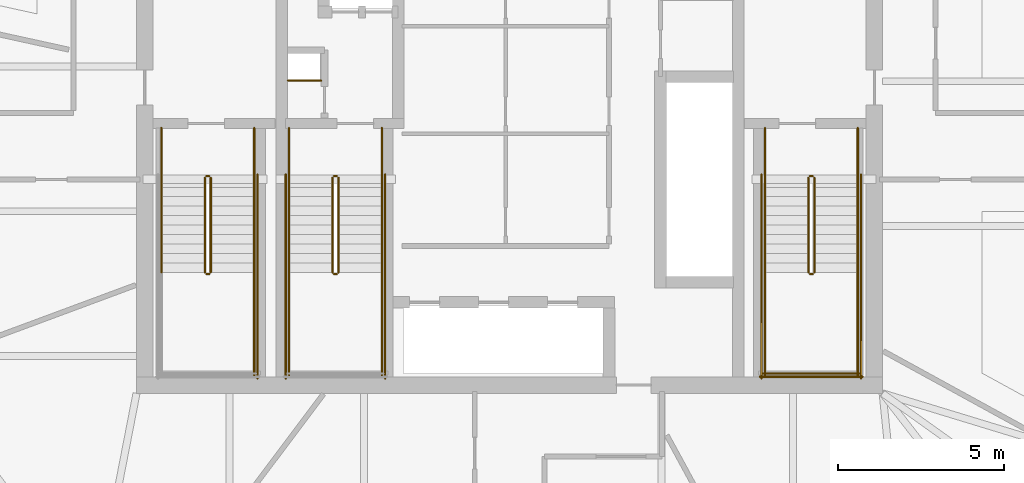
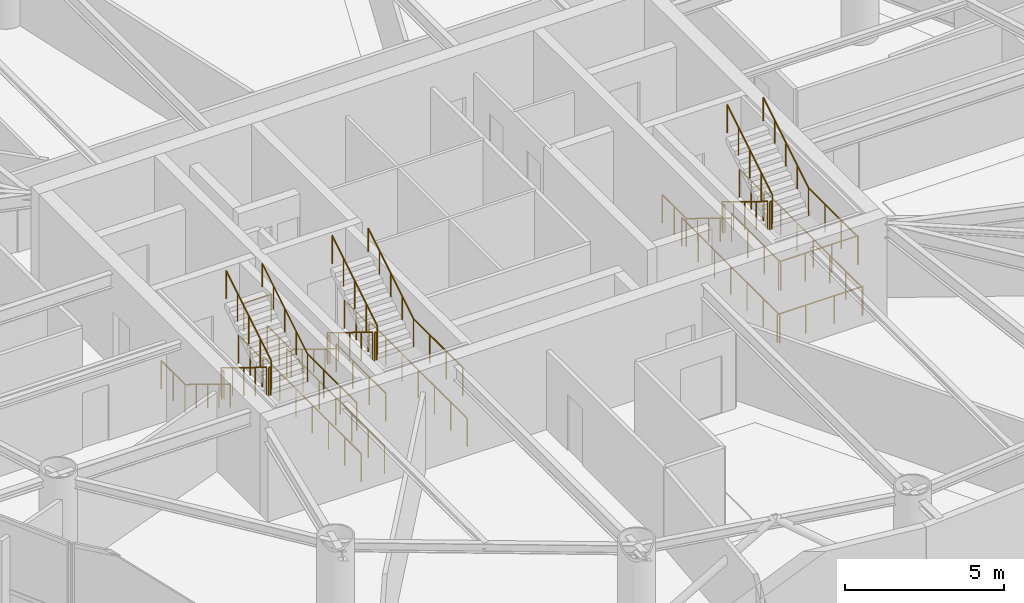
# One storey, part 18 of 19: 37 railings.
"""IFC4 building model written with IfcOpenShell, lengths in metres."""

from ifc_helpers import new_model, si_unit, direction, frame, origin, origin_2d, place, context, subcontext, project, spatial, circle, extrude, material, type_object, element, save


model = new_model("IFC4")

# Units and contexts
model_context = context("Model", 3, precision=1e-05, world=origin(), true_north=direction((0.0, 1.0)))
body_context = subcontext(model_context, "Body", "Model", "MODEL_VIEW")
ifc_project = project(units=[si_unit("LENGTHUNIT", "METRE"), si_unit("AREAUNIT", "SQUARE_METRE"), si_unit("VOLUMEUNIT", "CUBIC_METRE"), si_unit("PLANEANGLEUNIT", "RADIAN"), si_unit("MASSUNIT", "GRAM", prefix="KILO")], contexts=[model_context])

# Site, building, storey
site_placement = place(None, origin())
site = spatial("IfcSite", under=ifc_project, at=site_placement, CompositionType="ELEMENT")
building_placement = place(site_placement, origin())
building = spatial("IfcBuilding", under=site, at=building_placement, Name="Bramvorn Convention Spire", CompositionType="ELEMENT")
storey_placement = place(building_placement, frame((0.0, 0.0, 198.14990234375)))
storey = spatial("IfcBuildingStorey", under=building, at=storey_placement, Name="L50", CompositionType="ELEMENT", Elevation=198.14990234375)

# Railings
ifc_material_1 = material(Name="Painted Steel Balustrade & Guardrail", Category="steel")
railing_type_1 = type_object("IfcRailingType", Name="RL-STAIR-GUARD-1100", PredefinedType="GUARDRAIL", material=ifc_material_1)
railing_1_placement = place(storey_placement, frame((28.81005859375, 25.050048828125, 0.175048828125)))
element("IfcRailing", 1, at=railing_1_placement, inside=storey, type_object=railing_type_1, Name="L50 ST1 stair guard 1", PredefinedType="GUARDRAIL", context=body_context, shape_type="SweptSolid", body=[
    extrude(circle(Radius=0.02392578125, at=origin_2d()), frame((0.0, 0.0, 1.076171875), z_axis=(0.0, -0.852179220489, 0.52325001306), x_axis=(1.0, 0.0, 0.0)), (0.0, 0.0, 1.0), 3.344482421875),
    extrude(circle(Radius=0.02099609375, at=origin_2d()), origin(), (0.0, 0.0, 1.0), 1.052001953125),
    extrude(circle(Radius=0.02099609375, at=origin_2d()), frame((0.0, -0.71240234375, 0.4375)), (0.0, 0.0, 1.0), 1.052001953125),
    extrude(circle(Radius=0.02099609375, at=origin_2d()), frame((0.0, -1.425048828125, 0.875)), (0.0, 0.0, 1.0), 1.052001953125),
    extrude(circle(Radius=0.02099609375, at=origin_2d()), frame((0.0, -2.1376953125, 1.3125)), (0.0, 0.0, 1.0), 1.052001953125),
    extrude(circle(Radius=0.02099609375, at=origin_2d()), frame((0.0, -2.85009765625, 1.75)), (0.0, 0.0, 1.0), 1.052001953125),
])
railing_2_placement = place(storey_placement, frame((28.860107421875, 22.14990234375, 1.925048828125)))
element("IfcRailing", 2, at=railing_2_placement, inside=storey, type_object=railing_type_1, Name="L50 ST1 stair guard 2", PredefinedType="GUARDRAIL", context=body_context, shape_type="SweptSolid", body=[
    extrude(circle(Radius=0.02392578125, at=origin_2d()), frame((0.0, 0.0, 1.076171875), z_axis=(1.0, 0.0, 0.0), x_axis=(0.0, 1.0, 0.0)), (0.0, 0.0, 1.0), 0.079833984375),
    extrude(circle(Radius=0.02099609375, at=origin_2d()), origin(), (0.0, 0.0, 1.0), 1.052001953125),
    extrude(circle(Radius=0.02099609375, at=origin_2d()), frame((0.079833984375, 0.0, 0.0)), (0.0, 0.0, 1.0), 1.052001953125),
])
railing_3_placement = place(storey_placement, frame((30.300048828125, 22.199951171875, 1.925048828125)))
element("IfcRailing", 3, at=railing_3_placement, inside=storey, type_object=railing_type_1, Name="L50 ST1 stair guard 4", PredefinedType="GUARDRAIL", context=body_context, shape_type="SweptSolid", body=[
    extrude(circle(Radius=0.02392578125, at=origin_2d()), frame((0.0, 0.0, 1.076171875), z_axis=(0.0, -1.0, 0.0), x_axis=(1.0, 0.0, 0.0)), (0.0, 0.0, 1.0), 3.099853515625),
    extrude(circle(Radius=0.02099609375, at=origin_2d()), origin(), (0.0, 0.0, 1.0), 1.052001953125),
    extrude(circle(Radius=0.02099609375, at=origin_2d()), frame((0.0, -1.033203125, 0.0)), (0.0, 0.0, 1.0), 1.052001953125),
    extrude(circle(Radius=0.02099609375, at=origin_2d()), frame((0.0, -2.066650390625, 0.0)), (0.0, 0.0, 1.0), 1.052001953125),
    extrude(circle(Radius=0.02099609375, at=origin_2d()), frame((0.0, -3.099853515625, 0.0)), (0.0, 0.0, 1.0), 1.052001953125),
])
railing_4_placement = place(storey_placement, frame((28.989990234375, 22.199951171875, 2.10009765625)))
element("IfcRailing", 4, at=railing_4_placement, inside=storey, type_object=railing_type_1, Name="L50 ST1 stair guard 6", PredefinedType="GUARDRAIL", context=body_context, shape_type="SweptSolid", body=[
    extrude(circle(Radius=0.02392578125, at=origin_2d()), frame((0.0, 0.0, 1.076171875), z_axis=(0.0, 0.852179220489, 0.52325001306), x_axis=(-1.0, 0.0, 0.0)), (0.0, 0.0, 1.0), 3.344482421875),
    extrude(circle(Radius=0.02099609375, at=origin_2d()), origin(), (0.0, 0.0, 1.0), 1.052001953125),
    extrude(circle(Radius=0.02099609375, at=origin_2d()), frame((0.0, 0.71240234375, 0.4375)), (0.0, 0.0, 1.0), 1.052001953125),
    extrude(circle(Radius=0.02099609375, at=origin_2d()), frame((0.0, 1.425048828125, 0.875)), (0.0, 0.0, 1.0), 1.052001953125),
    extrude(circle(Radius=0.02099609375, at=origin_2d()), frame((0.0, 2.1376953125, 1.3125)), (0.0, 0.0, 1.0), 1.052001953125),
    extrude(circle(Radius=0.02099609375, at=origin_2d()), frame((0.0, 2.85009765625, 1.75)), (0.0, 0.0, 1.0), 1.052001953125),
])
railing_5_placement = place(storey_placement, frame((28.860107421875, 25.10009765625, 0.0)))
element("IfcRailing", 5, at=railing_5_placement, inside=storey, type_object=railing_type_1, Name="L50 ST1 stair guard 7", PredefinedType="GUARDRAIL", context=body_context, shape_type="SweptSolid", body=[
    extrude(circle(Radius=0.02392578125, at=origin_2d()), frame((0.0, 0.0, 1.076171875), z_axis=(1.0, 0.0, 0.0), x_axis=(0.0, 1.0, 0.0)), (0.0, 0.0, 1.0), 0.079833984375),
    extrude(circle(Radius=0.02099609375, at=origin_2d()), origin(), (0.0, 0.0, 1.0), 1.052001953125),
    extrude(circle(Radius=0.02099609375, at=origin_2d()), frame((0.079833984375, 0.0, 0.0)), (0.0, 0.0, 1.0), 1.052001953125),
])
for number, where, name in (
    (6, (27.5, 26.550048828125, 0.0), "L50 ST1 stair guard 8"),
    (7, (30.300048828125, 26.550048828125, 0.0), "L50 ST1 stair guard 9"),
):
    element("IfcRailing", number, at=place(storey_placement, frame(where)), inside=storey, type_object=railing_type_1, Name=name, PredefinedType="GUARDRAIL", context=body_context, shape_type="SweptSolid", body=[
        extrude(circle(Radius=0.02392578125, at=origin_2d()), frame((0.0, 0.0, 1.076171875), z_axis=(0.0, -1.0, 0.0), x_axis=(1.0, 0.0, 0.0)), (0.0, 0.0, 1.0), 1.5),
        extrude(circle(Radius=0.02099609375, at=origin_2d()), origin(), (0.0, 0.0, 1.0), 1.052001953125),
        extrude(circle(Radius=0.02099609375, at=origin_2d()), frame((0.0, -0.75, 0.0)), (0.0, 0.0, 1.0), 1.052001953125),
        extrude(circle(Radius=0.02099609375, at=origin_2d()), frame((0.0, -1.5, 0.0)), (0.0, 0.0, 1.0), 1.052001953125),
    ])
railing_6_placement = place(storey_placement, frame((30.39990234375, 25.14990234375, 0.0)))
element("IfcRailing", 8, at=railing_6_placement, inside=storey, type_object=railing_type_1, Name="L50 ST1 stair guard 11", PredefinedType="GUARDRAIL", context=body_context, shape_type="SweptSolid", body=[
    extrude(circle(Radius=0.02392578125, at=origin_2d()), frame((0.0, 0.0, 1.076171875), z_axis=(0.0, -1.0, 0.0), x_axis=(1.0, 0.0, 0.0)), (0.0, 0.0, 1.0), 6.14990234375),
    extrude(circle(Radius=0.02099609375, at=origin_2d()), origin(), (0.0, 0.0, 1.0), 1.052001953125),
    extrude(circle(Radius=0.02099609375, at=origin_2d()), frame((0.0, -1.02490234375, 0.0)), (0.0, 0.0, 1.0), 1.052001953125),
    extrude(circle(Radius=0.02099609375, at=origin_2d()), frame((0.0, -2.050048828125, 0.0)), (0.0, 0.0, 1.0), 1.052001953125),
    extrude(circle(Radius=0.02099609375, at=origin_2d()), frame((0.0, -3.074951171875, 0.0)), (0.0, 0.0, 1.0), 1.052001953125),
    extrude(circle(Radius=0.02099609375, at=origin_2d()), frame((0.0, -4.099853515625, 0.0)), (0.0, 0.0, 1.0), 1.052001953125),
    extrude(circle(Radius=0.02099609375, at=origin_2d()), frame((0.0, -5.125, 0.0)), (0.0, 0.0, 1.0), 1.052001953125),
    extrude(circle(Radius=0.02099609375, at=origin_2d()), frame((0.0, -6.14990234375, 0.0)), (0.0, 0.0, 1.0), 1.052001953125),
])
railing_7_placement = place(storey_placement, frame((47.010009765625, 25.050048828125, 0.175048828125)))
element("IfcRailing", 9, at=railing_7_placement, inside=storey, type_object=railing_type_1, Name="L50 ST2 stair guard 1", PredefinedType="GUARDRAIL", context=body_context, shape_type="SweptSolid", body=[
    extrude(circle(Radius=0.02392578125, at=origin_2d()), frame((0.0, 0.0, 1.076171875), z_axis=(0.0, -0.852179220489, 0.52325001306), x_axis=(1.0, 0.0, 0.0)), (0.0, 0.0, 1.0), 3.344482421875),
    extrude(circle(Radius=0.02099609375, at=origin_2d()), origin(), (0.0, 0.0, 1.0), 1.052001953125),
    extrude(circle(Radius=0.02099609375, at=origin_2d()), frame((0.0, -0.71240234375, 0.4375)), (0.0, 0.0, 1.0), 1.052001953125),
    extrude(circle(Radius=0.02099609375, at=origin_2d()), frame((0.0, -1.425048828125, 0.875)), (0.0, 0.0, 1.0), 1.052001953125),
    extrude(circle(Radius=0.02099609375, at=origin_2d()), frame((0.0, -2.1376953125, 1.3125)), (0.0, 0.0, 1.0), 1.052001953125),
    extrude(circle(Radius=0.02099609375, at=origin_2d()), frame((0.0, -2.85009765625, 1.75)), (0.0, 0.0, 1.0), 1.052001953125),
])
railing_8_placement = place(storey_placement, frame((47.06005859375, 22.14990234375, 1.925048828125)))
element("IfcRailing", 10, at=railing_8_placement, inside=storey, type_object=railing_type_1, Name="L50 ST2 stair guard 2", PredefinedType="GUARDRAIL", context=body_context, shape_type="SweptSolid", body=[
    extrude(circle(Radius=0.02392578125, at=origin_2d()), frame((0.0, 0.0, 1.076171875), z_axis=(1.0, 0.0, 0.0), x_axis=(0.0, 1.0, 0.0)), (0.0, 0.0, 1.0), 0.079833984375),
    extrude(circle(Radius=0.02099609375, at=origin_2d()), origin(), (0.0, 0.0, 1.0), 1.052001953125),
    extrude(circle(Radius=0.02099609375, at=origin_2d()), frame((0.079833984375, 0.0, 0.0)), (0.0, 0.0, 1.0), 1.052001953125),
])
for number, where, name in (
    (11, (45.699951171875, 22.199951171875, 1.925048828125), "L50 ST2 stair guard 3"),
    (12, (48.5, 22.199951171875, 1.925048828125), "L50 ST2 stair guard 4"),
):
    element("IfcRailing", number, at=place(storey_placement, frame(where)), inside=storey, type_object=railing_type_1, Name=name, PredefinedType="GUARDRAIL", context=body_context, shape_type="SweptSolid", body=[
        extrude(circle(Radius=0.02392578125, at=origin_2d()), frame((0.0, 0.0, 1.076171875), z_axis=(0.0, -1.0, 0.0), x_axis=(1.0, 0.0, 0.0)), (0.0, 0.0, 1.0), 3.099853515625),
        extrude(circle(Radius=0.02099609375, at=origin_2d()), origin(), (0.0, 0.0, 1.0), 1.052001953125),
        extrude(circle(Radius=0.02099609375, at=origin_2d()), frame((0.0, -1.033203125, 0.0)), (0.0, 0.0, 1.0), 1.052001953125),
        extrude(circle(Radius=0.02099609375, at=origin_2d()), frame((0.0, -2.066650390625, 0.0)), (0.0, 0.0, 1.0), 1.052001953125),
        extrude(circle(Radius=0.02099609375, at=origin_2d()), frame((0.0, -3.099853515625, 0.0)), (0.0, 0.0, 1.0), 1.052001953125),
    ])
railing_9_placement = place(storey_placement, frame((45.64990234375, 19.14990234375, 1.925048828125)))
element("IfcRailing", 13, at=railing_9_placement, inside=storey, type_object=railing_type_1, Name="L50 ST2 stair guard 5", PredefinedType="GUARDRAIL", context=body_context, shape_type="SweptSolid", body=[
    extrude(circle(Radius=0.02392578125, at=origin_2d()), frame((0.0, 0.0, 1.076171875), z_axis=(1.0, 0.0, 0.0), x_axis=(0.0, 1.0, 0.0)), (0.0, 0.0, 1.0), 2.900146484375),
    extrude(circle(Radius=0.02099609375, at=origin_2d()), origin(), (0.0, 0.0, 1.0), 1.052001953125),
    extrude(circle(Radius=0.02099609375, at=origin_2d()), frame((0.966796875, 0.0, 0.0)), (0.0, 0.0, 1.0), 1.052001953125),
    extrude(circle(Radius=0.02099609375, at=origin_2d()), frame((1.933349609375, 0.0, 0.0)), (0.0, 0.0, 1.0), 1.052001953125),
    extrude(circle(Radius=0.02099609375, at=origin_2d()), frame((2.900146484375, 0.0, 0.0)), (0.0, 0.0, 1.0), 1.052001953125),
])
railing_10_placement = place(storey_placement, frame((47.18994140625, 22.199951171875, 2.10009765625)))
element("IfcRailing", 14, at=railing_10_placement, inside=storey, type_object=railing_type_1, Name="L50 ST2 stair guard 6", PredefinedType="GUARDRAIL", context=body_context, shape_type="SweptSolid", body=[
    extrude(circle(Radius=0.02392578125, at=origin_2d()), frame((0.0, 0.0, 1.076171875), z_axis=(0.0, 0.852179220489, 0.52325001306), x_axis=(-1.0, 0.0, 0.0)), (0.0, 0.0, 1.0), 3.344482421875),
    extrude(circle(Radius=0.02099609375, at=origin_2d()), origin(), (0.0, 0.0, 1.0), 1.052001953125),
    extrude(circle(Radius=0.02099609375, at=origin_2d()), frame((0.0, 0.71240234375, 0.4375)), (0.0, 0.0, 1.0), 1.052001953125),
    extrude(circle(Radius=0.02099609375, at=origin_2d()), frame((0.0, 1.425048828125, 0.875)), (0.0, 0.0, 1.0), 1.052001953125),
    extrude(circle(Radius=0.02099609375, at=origin_2d()), frame((0.0, 2.1376953125, 1.3125)), (0.0, 0.0, 1.0), 1.052001953125),
    extrude(circle(Radius=0.02099609375, at=origin_2d()), frame((0.0, 2.85009765625, 1.75)), (0.0, 0.0, 1.0), 1.052001953125),
])
railing_11_placement = place(storey_placement, frame((47.06005859375, 25.10009765625, 0.0)))
element("IfcRailing", 15, at=railing_11_placement, inside=storey, type_object=railing_type_1, Name="L50 ST2 stair guard 7", PredefinedType="GUARDRAIL", context=body_context, shape_type="SweptSolid", body=[
    extrude(circle(Radius=0.02392578125, at=origin_2d()), frame((0.0, 0.0, 1.076171875), z_axis=(1.0, 0.0, 0.0), x_axis=(0.0, 1.0, 0.0)), (0.0, 0.0, 1.0), 0.079833984375),
    extrude(circle(Radius=0.02099609375, at=origin_2d()), origin(), (0.0, 0.0, 1.0), 1.052001953125),
    extrude(circle(Radius=0.02099609375, at=origin_2d()), frame((0.079833984375, 0.0, 0.0)), (0.0, 0.0, 1.0), 1.052001953125),
])
for number, where, name in (
    (16, (45.699951171875, 26.550048828125, 0.0), "L50 ST2 stair guard 8"),
    (17, (48.5, 26.550048828125, 0.0), "L50 ST2 stair guard 9"),
):
    element("IfcRailing", number, at=place(storey_placement, frame(where)), inside=storey, type_object=railing_type_1, Name=name, PredefinedType="GUARDRAIL", context=body_context, shape_type="SweptSolid", body=[
        extrude(circle(Radius=0.02392578125, at=origin_2d()), frame((0.0, 0.0, 1.076171875), z_axis=(0.0, -1.0, 0.0), x_axis=(1.0, 0.0, 0.0)), (0.0, 0.0, 1.0), 1.5),
        extrude(circle(Radius=0.02099609375, at=origin_2d()), origin(), (0.0, 0.0, 1.0), 1.052001953125),
        extrude(circle(Radius=0.02099609375, at=origin_2d()), frame((0.0, -0.75, 0.0)), (0.0, 0.0, 1.0), 1.052001953125),
        extrude(circle(Radius=0.02099609375, at=origin_2d()), frame((0.0, -1.5, 0.0)), (0.0, 0.0, 1.0), 1.052001953125),
    ])
for number, where, name in (
    (18, (45.60009765625, 25.14990234375, 0.0), "L50 ST2 stair guard 10"),
    (19, (48.60009765625, 25.14990234375, 0.0), "L50 ST2 stair guard 11"),
):
    element("IfcRailing", number, at=place(storey_placement, frame(where)), inside=storey, type_object=railing_type_1, Name=name, PredefinedType="GUARDRAIL", context=body_context, shape_type="SweptSolid", body=[
        extrude(circle(Radius=0.02392578125, at=origin_2d()), frame((0.0, 0.0, 1.076171875), z_axis=(0.0, -1.0, 0.0), x_axis=(1.0, 0.0, 0.0)), (0.0, 0.0, 1.0), 6.14990234375),
        extrude(circle(Radius=0.02099609375, at=origin_2d()), origin(), (0.0, 0.0, 1.0), 1.052001953125),
        extrude(circle(Radius=0.02099609375, at=origin_2d()), frame((0.0, -1.02490234375, 0.0)), (0.0, 0.0, 1.0), 1.052001953125),
        extrude(circle(Radius=0.02099609375, at=origin_2d()), frame((0.0, -2.050048828125, 0.0)), (0.0, 0.0, 1.0), 1.052001953125),
        extrude(circle(Radius=0.02099609375, at=origin_2d()), frame((0.0, -3.074951171875, 0.0)), (0.0, 0.0, 1.0), 1.052001953125),
        extrude(circle(Radius=0.02099609375, at=origin_2d()), frame((0.0, -4.099853515625, 0.0)), (0.0, 0.0, 1.0), 1.052001953125),
        extrude(circle(Radius=0.02099609375, at=origin_2d()), frame((0.0, -5.125, 0.0)), (0.0, 0.0, 1.0), 1.052001953125),
        extrude(circle(Radius=0.02099609375, at=origin_2d()), frame((0.0, -6.14990234375, 0.0)), (0.0, 0.0, 1.0), 1.052001953125),
    ])
railing_12_placement = place(storey_placement, frame((45.550048828125, 19.050048828125, 0.0)))
element("IfcRailing", 20, at=railing_12_placement, inside=storey, type_object=railing_type_1, Name="L50 ST2 stair guard 12", PredefinedType="GUARDRAIL", context=body_context, shape_type="SweptSolid", body=[
    extrude(circle(Radius=0.02392578125, at=origin_2d()), frame((0.0, 0.0, 1.076171875), z_axis=(1.0, 0.0, 0.0), x_axis=(0.0, 1.0, 0.0)), (0.0, 0.0, 1.0), 3.099853515625),
    extrude(circle(Radius=0.02099609375, at=origin_2d()), origin(), (0.0, 0.0, 1.0), 1.052001953125),
    extrude(circle(Radius=0.02099609375, at=origin_2d()), frame((1.033203125, 0.0, 0.0)), (0.0, 0.0, 1.0), 1.052001953125),
    extrude(circle(Radius=0.02099609375, at=origin_2d()), frame((2.066650390625, 0.0, 0.0)), (0.0, 0.0, 1.0), 1.052001953125),
    extrude(circle(Radius=0.02099609375, at=origin_2d()), frame((3.099853515625, 0.0, 0.0)), (0.0, 0.0, 1.0), 1.052001953125),
])
railing_13_placement = place(storey_placement, frame((32.659912109375, 25.050048828125, 0.175048828125)))
element("IfcRailing", 21, at=railing_13_placement, inside=storey, type_object=railing_type_1, Name="L50 ST3 stair guard 1", PredefinedType="GUARDRAIL", context=body_context, shape_type="SweptSolid", body=[
    extrude(circle(Radius=0.02392578125, at=origin_2d()), frame((0.0, 0.0, 1.076171875), z_axis=(0.0, -0.852179220489, 0.52325001306), x_axis=(1.0, 0.0, 0.0)), (0.0, 0.0, 1.0), 3.344482421875),
    extrude(circle(Radius=0.02099609375, at=origin_2d()), origin(), (0.0, 0.0, 1.0), 1.052001953125),
    extrude(circle(Radius=0.02099609375, at=origin_2d()), frame((0.0, -0.71240234375, 0.4375)), (0.0, 0.0, 1.0), 1.052001953125),
    extrude(circle(Radius=0.02099609375, at=origin_2d()), frame((0.0, -1.425048828125, 0.875)), (0.0, 0.0, 1.0), 1.052001953125),
    extrude(circle(Radius=0.02099609375, at=origin_2d()), frame((0.0, -2.1376953125, 1.3125)), (0.0, 0.0, 1.0), 1.052001953125),
    extrude(circle(Radius=0.02099609375, at=origin_2d()), frame((0.0, -2.85009765625, 1.75)), (0.0, 0.0, 1.0), 1.052001953125),
])
railing_14_placement = place(storey_placement, frame((32.7099609375, 22.14990234375, 1.925048828125)))
element("IfcRailing", 22, at=railing_14_placement, inside=storey, type_object=railing_type_1, Name="L50 ST3 stair guard 2", PredefinedType="GUARDRAIL", context=body_context, shape_type="SweptSolid", body=[
    extrude(circle(Radius=0.02392578125, at=origin_2d()), frame((0.0, 0.0, 1.076171875), z_axis=(1.0, 0.0, 0.0), x_axis=(0.0, 1.0, 0.0)), (0.0, 0.0, 1.0), 0.080078125),
    extrude(circle(Radius=0.02099609375, at=origin_2d()), origin(), (0.0, 0.0, 1.0), 1.052001953125),
    extrude(circle(Radius=0.02099609375, at=origin_2d()), frame((0.080078125, 0.0, 0.0)), (0.0, 0.0, 1.0), 1.052001953125),
])
for number, where, name in (
    (23, (31.35009765625, 22.199951171875, 1.925048828125), "L50 ST3 stair guard 3"),
    (24, (34.14990234375, 22.199951171875, 1.925048828125), "L50 ST3 stair guard 4"),
):
    element("IfcRailing", number, at=place(storey_placement, frame(where)), inside=storey, type_object=railing_type_1, Name=name, PredefinedType="GUARDRAIL", context=body_context, shape_type="SweptSolid", body=[
        extrude(circle(Radius=0.02392578125, at=origin_2d()), frame((0.0, 0.0, 1.076171875), z_axis=(0.0, -1.0, 0.0), x_axis=(1.0, 0.0, 0.0)), (0.0, 0.0, 1.0), 3.099853515625),
        extrude(circle(Radius=0.02099609375, at=origin_2d()), origin(), (0.0, 0.0, 1.0), 1.052001953125),
        extrude(circle(Radius=0.02099609375, at=origin_2d()), frame((0.0, -1.033203125, 0.0)), (0.0, 0.0, 1.0), 1.052001953125),
        extrude(circle(Radius=0.02099609375, at=origin_2d()), frame((0.0, -2.066650390625, 0.0)), (0.0, 0.0, 1.0), 1.052001953125),
        extrude(circle(Radius=0.02099609375, at=origin_2d()), frame((0.0, -3.099853515625, 0.0)), (0.0, 0.0, 1.0), 1.052001953125),
    ])
railing_15_placement = place(storey_placement, frame((32.840087890625, 22.199951171875, 2.10009765625)))
element("IfcRailing", 25, at=railing_15_placement, inside=storey, type_object=railing_type_1, Name="L50 ST3 stair guard 6", PredefinedType="GUARDRAIL", context=body_context, shape_type="SweptSolid", body=[
    extrude(circle(Radius=0.02392578125, at=origin_2d()), frame((0.0, 0.0, 1.076171875), z_axis=(0.0, 0.852179220489, 0.52325001306), x_axis=(-1.0, 0.0, 0.0)), (0.0, 0.0, 1.0), 3.344482421875),
    extrude(circle(Radius=0.02099609375, at=origin_2d()), origin(), (0.0, 0.0, 1.0), 1.052001953125),
    extrude(circle(Radius=0.02099609375, at=origin_2d()), frame((0.0, 0.71240234375, 0.4375)), (0.0, 0.0, 1.0), 1.052001953125),
    extrude(circle(Radius=0.02099609375, at=origin_2d()), frame((0.0, 1.425048828125, 0.875)), (0.0, 0.0, 1.0), 1.052001953125),
    extrude(circle(Radius=0.02099609375, at=origin_2d()), frame((0.0, 2.1376953125, 1.3125)), (0.0, 0.0, 1.0), 1.052001953125),
    extrude(circle(Radius=0.02099609375, at=origin_2d()), frame((0.0, 2.85009765625, 1.75)), (0.0, 0.0, 1.0), 1.052001953125),
])
railing_16_placement = place(storey_placement, frame((32.7099609375, 25.10009765625, 0.0)))
element("IfcRailing", 26, at=railing_16_placement, inside=storey, type_object=railing_type_1, Name="L50 ST3 stair guard 7", PredefinedType="GUARDRAIL", context=body_context, shape_type="SweptSolid", body=[
    extrude(circle(Radius=0.02392578125, at=origin_2d()), frame((0.0, 0.0, 1.076171875), z_axis=(1.0, 0.0, 0.0), x_axis=(0.0, 1.0, 0.0)), (0.0, 0.0, 1.0), 0.080078125),
    extrude(circle(Radius=0.02099609375, at=origin_2d()), origin(), (0.0, 0.0, 1.0), 1.052001953125),
    extrude(circle(Radius=0.02099609375, at=origin_2d()), frame((0.080078125, 0.0, 0.0)), (0.0, 0.0, 1.0), 1.052001953125),
])
for number, where, name in (
    (27, (31.35009765625, 26.550048828125, 0.0), "L50 ST3 stair guard 8"),
    (28, (34.14990234375, 26.550048828125, 0.0), "L50 ST3 stair guard 9"),
):
    element("IfcRailing", number, at=place(storey_placement, frame(where)), inside=storey, type_object=railing_type_1, Name=name, PredefinedType="GUARDRAIL", context=body_context, shape_type="SweptSolid", body=[
        extrude(circle(Radius=0.02392578125, at=origin_2d()), frame((0.0, 0.0, 1.076171875), z_axis=(0.0, -1.0, 0.0), x_axis=(1.0, 0.0, 0.0)), (0.0, 0.0, 1.0), 1.5),
        extrude(circle(Radius=0.02099609375, at=origin_2d()), origin(), (0.0, 0.0, 1.0), 1.052001953125),
        extrude(circle(Radius=0.02099609375, at=origin_2d()), frame((0.0, -0.75, 0.0)), (0.0, 0.0, 1.0), 1.052001953125),
        extrude(circle(Radius=0.02099609375, at=origin_2d()), frame((0.0, -1.5, 0.0)), (0.0, 0.0, 1.0), 1.052001953125),
    ])
for number, where, name in (
    (29, (31.25, 25.14990234375, 0.0), "L50 ST3 stair guard 10"),
    (30, (34.25, 25.14990234375, 0.0), "L50 ST3 stair guard 11"),
):
    element("IfcRailing", number, at=place(storey_placement, frame(where)), inside=storey, type_object=railing_type_1, Name=name, PredefinedType="GUARDRAIL", context=body_context, shape_type="SweptSolid", body=[
        extrude(circle(Radius=0.02392578125, at=origin_2d()), frame((0.0, 0.0, 1.076171875), z_axis=(0.0, -1.0, 0.0), x_axis=(1.0, 0.0, 0.0)), (0.0, 0.0, 1.0), 6.14990234375),
        extrude(circle(Radius=0.02099609375, at=origin_2d()), origin(), (0.0, 0.0, 1.0), 1.052001953125),
        extrude(circle(Radius=0.02099609375, at=origin_2d()), frame((0.0, -1.02490234375, 0.0)), (0.0, 0.0, 1.0), 1.052001953125),
        extrude(circle(Radius=0.02099609375, at=origin_2d()), frame((0.0, -2.050048828125, 0.0)), (0.0, 0.0, 1.0), 1.052001953125),
        extrude(circle(Radius=0.02099609375, at=origin_2d()), frame((0.0, -3.074951171875, 0.0)), (0.0, 0.0, 1.0), 1.052001953125),
        extrude(circle(Radius=0.02099609375, at=origin_2d()), frame((0.0, -4.099853515625, 0.0)), (0.0, 0.0, 1.0), 1.052001953125),
        extrude(circle(Radius=0.02099609375, at=origin_2d()), frame((0.0, -5.125, 0.0)), (0.0, 0.0, 1.0), 1.052001953125),
        extrude(circle(Radius=0.02099609375, at=origin_2d()), frame((0.0, -6.14990234375, 0.0)), (0.0, 0.0, 1.0), 1.052001953125),
    ])
railing_17_placement = place(storey_placement, frame((31.320068359375, 27.97998046875, 0.0)))
element("IfcRailing", 31, at=railing_17_placement, inside=storey, type_object=railing_type_1, Name="L50 Telecom riser shaft opening safety guardrail", PredefinedType="GUARDRAIL", context=body_context, shape_type="SweptSolid", body=[
    extrude(circle(Radius=0.02392578125, at=origin_2d()), frame((0.0, 0.0, 1.076171875), z_axis=(1.0, 0.0, 0.0), x_axis=(0.0, 1.0, 0.0)), (0.0, 0.0, 1.0), 1.0),
    extrude(circle(Radius=0.02099609375, at=origin_2d()), origin(), (0.0, 0.0, 1.0), 1.052001953125),
    extrude(circle(Radius=0.02099609375, at=origin_2d()), frame((1.0, 0.0, 0.0)), (0.0, 0.0, 1.0), 1.052001953125),
])
ifc_material_2 = material(Name="Brushed Bronze Tubular Handrail", Category="aluminium")
railing_type_2 = type_object("IfcRailingType", Name="RL-STAIR-HR-920", PredefinedType="HANDRAIL", material=ifc_material_2)
railing_18_placement = place(storey_placement, frame((27.5, 25.050048828125, 0.175048828125)))
element("IfcRailing", 32, at=railing_18_placement, inside=storey, type_object=railing_type_2, Name="L50 ST1 stair handrail 1", PredefinedType="HANDRAIL", context=body_context, shape_type="SweptSolid", body=[
    extrude(circle(Radius=0.02392578125, at=origin_2d()), frame((0.0, 0.0, 0.89599609375), z_axis=(0.0, -0.852179220489, 0.52325001306), x_axis=(1.0, 0.0, 0.0)), (0.0, 0.0, 1.0), 3.344482421875),
    extrude(circle(Radius=0.02099609375, at=origin_2d()), origin(), (0.0, 0.0, 1.0), 0.871826171875),
    extrude(circle(Radius=0.02099609375, at=origin_2d()), frame((0.0, -0.71240234375, 0.4375)), (0.0, 0.0, 1.0), 0.871826171875),
    extrude(circle(Radius=0.02099609375, at=origin_2d()), frame((0.0, -1.425048828125, 0.875)), (0.0, 0.0, 1.0), 0.871826171875),
    extrude(circle(Radius=0.02099609375, at=origin_2d()), frame((0.0, -2.1376953125, 1.3125)), (0.0, 0.0, 1.0), 0.871826171875),
    extrude(circle(Radius=0.02099609375, at=origin_2d()), frame((0.0, -2.85009765625, 1.75)), (0.0, 0.0, 1.0), 0.871826171875),
])
railing_19_placement = place(storey_placement, frame((30.300048828125, 22.199951171875, 2.10009765625)))
element("IfcRailing", 33, at=railing_19_placement, inside=storey, type_object=railing_type_2, Name="L50 ST1 stair handrail 2", PredefinedType="HANDRAIL", context=body_context, shape_type="SweptSolid", body=[
    extrude(circle(Radius=0.02392578125, at=origin_2d()), frame((0.0, 0.0, 0.89599609375), z_axis=(0.0, 0.852179220489, 0.52325001306), x_axis=(-1.0, 0.0, 0.0)), (0.0, 0.0, 1.0), 3.344482421875),
    extrude(circle(Radius=0.02099609375, at=origin_2d()), origin(), (0.0, 0.0, 1.0), 0.871826171875),
    extrude(circle(Radius=0.02099609375, at=origin_2d()), frame((0.0, 0.71240234375, 0.4375)), (0.0, 0.0, 1.0), 0.871826171875),
    extrude(circle(Radius=0.02099609375, at=origin_2d()), frame((0.0, 1.425048828125, 0.875)), (0.0, 0.0, 1.0), 0.871826171875),
    extrude(circle(Radius=0.02099609375, at=origin_2d()), frame((0.0, 2.1376953125, 1.3125)), (0.0, 0.0, 1.0), 0.871826171875),
    extrude(circle(Radius=0.02099609375, at=origin_2d()), frame((0.0, 2.85009765625, 1.75)), (0.0, 0.0, 1.0), 0.871826171875),
])
railing_20_placement = place(storey_placement, frame((45.699951171875, 25.050048828125, 0.175048828125)))
element("IfcRailing", 34, at=railing_20_placement, inside=storey, type_object=railing_type_2, Name="L50 ST2 stair handrail 1", PredefinedType="HANDRAIL", context=body_context, shape_type="SweptSolid", body=[
    extrude(circle(Radius=0.02392578125, at=origin_2d()), frame((0.0, 0.0, 0.89599609375), z_axis=(0.0, -0.852179220489, 0.52325001306), x_axis=(1.0, 0.0, 0.0)), (0.0, 0.0, 1.0), 3.344482421875),
    extrude(circle(Radius=0.02099609375, at=origin_2d()), origin(), (0.0, 0.0, 1.0), 0.871826171875),
    extrude(circle(Radius=0.02099609375, at=origin_2d()), frame((0.0, -0.71240234375, 0.4375)), (0.0, 0.0, 1.0), 0.871826171875),
    extrude(circle(Radius=0.02099609375, at=origin_2d()), frame((0.0, -1.425048828125, 0.875)), (0.0, 0.0, 1.0), 0.871826171875),
    extrude(circle(Radius=0.02099609375, at=origin_2d()), frame((0.0, -2.1376953125, 1.3125)), (0.0, 0.0, 1.0), 0.871826171875),
    extrude(circle(Radius=0.02099609375, at=origin_2d()), frame((0.0, -2.85009765625, 1.75)), (0.0, 0.0, 1.0), 0.871826171875),
])
railing_21_placement = place(storey_placement, frame((48.5, 22.199951171875, 2.10009765625)))
element("IfcRailing", 35, at=railing_21_placement, inside=storey, type_object=railing_type_2, Name="L50 ST2 stair handrail 2", PredefinedType="HANDRAIL", context=body_context, shape_type="SweptSolid", body=[
    extrude(circle(Radius=0.02392578125, at=origin_2d()), frame((0.0, 0.0, 0.89599609375), z_axis=(0.0, 0.852179220489, 0.52325001306), x_axis=(-1.0, 0.0, 0.0)), (0.0, 0.0, 1.0), 3.344482421875),
    extrude(circle(Radius=0.02099609375, at=origin_2d()), origin(), (0.0, 0.0, 1.0), 0.871826171875),
    extrude(circle(Radius=0.02099609375, at=origin_2d()), frame((0.0, 0.71240234375, 0.4375)), (0.0, 0.0, 1.0), 0.871826171875),
    extrude(circle(Radius=0.02099609375, at=origin_2d()), frame((0.0, 1.425048828125, 0.875)), (0.0, 0.0, 1.0), 0.871826171875),
    extrude(circle(Radius=0.02099609375, at=origin_2d()), frame((0.0, 2.1376953125, 1.3125)), (0.0, 0.0, 1.0), 0.871826171875),
    extrude(circle(Radius=0.02099609375, at=origin_2d()), frame((0.0, 2.85009765625, 1.75)), (0.0, 0.0, 1.0), 0.871826171875),
])
railing_22_placement = place(storey_placement, frame((31.35009765625, 25.050048828125, 0.175048828125)))
element("IfcRailing", 36, at=railing_22_placement, inside=storey, type_object=railing_type_2, Name="L50 ST3 stair handrail 1", PredefinedType="HANDRAIL", context=body_context, shape_type="SweptSolid", body=[
    extrude(circle(Radius=0.02392578125, at=origin_2d()), frame((0.0, 0.0, 0.89599609375), z_axis=(0.0, -0.852179220489, 0.52325001306), x_axis=(1.0, 0.0, 0.0)), (0.0, 0.0, 1.0), 3.344482421875),
    extrude(circle(Radius=0.02099609375, at=origin_2d()), origin(), (0.0, 0.0, 1.0), 0.871826171875),
    extrude(circle(Radius=0.02099609375, at=origin_2d()), frame((0.0, -0.71240234375, 0.4375)), (0.0, 0.0, 1.0), 0.871826171875),
    extrude(circle(Radius=0.02099609375, at=origin_2d()), frame((0.0, -1.425048828125, 0.875)), (0.0, 0.0, 1.0), 0.871826171875),
    extrude(circle(Radius=0.02099609375, at=origin_2d()), frame((0.0, -2.1376953125, 1.3125)), (0.0, 0.0, 1.0), 0.871826171875),
    extrude(circle(Radius=0.02099609375, at=origin_2d()), frame((0.0, -2.85009765625, 1.75)), (0.0, 0.0, 1.0), 0.871826171875),
])
railing_23_placement = place(storey_placement, frame((34.14990234375, 22.199951171875, 2.10009765625)))
element("IfcRailing", 37, at=railing_23_placement, inside=storey, type_object=railing_type_2, Name="L50 ST3 stair handrail 2", PredefinedType="HANDRAIL", context=body_context, shape_type="SweptSolid", body=[
    extrude(circle(Radius=0.02392578125, at=origin_2d()), frame((0.0, 0.0, 0.89599609375), z_axis=(0.0, 0.852179220489, 0.52325001306), x_axis=(-1.0, 0.0, 0.0)), (0.0, 0.0, 1.0), 3.344482421875),
    extrude(circle(Radius=0.02099609375, at=origin_2d()), origin(), (0.0, 0.0, 1.0), 0.871826171875),
    extrude(circle(Radius=0.02099609375, at=origin_2d()), frame((0.0, 0.71240234375, 0.4375)), (0.0, 0.0, 1.0), 0.871826171875),
    extrude(circle(Radius=0.02099609375, at=origin_2d()), frame((0.0, 1.425048828125, 0.875)), (0.0, 0.0, 1.0), 0.871826171875),
    extrude(circle(Radius=0.02099609375, at=origin_2d()), frame((0.0, 2.1376953125, 1.3125)), (0.0, 0.0, 1.0), 0.871826171875),
    extrude(circle(Radius=0.02099609375, at=origin_2d()), frame((0.0, 2.85009765625, 1.75)), (0.0, 0.0, 1.0), 0.871826171875),
])

save(model, "model.ifc")
